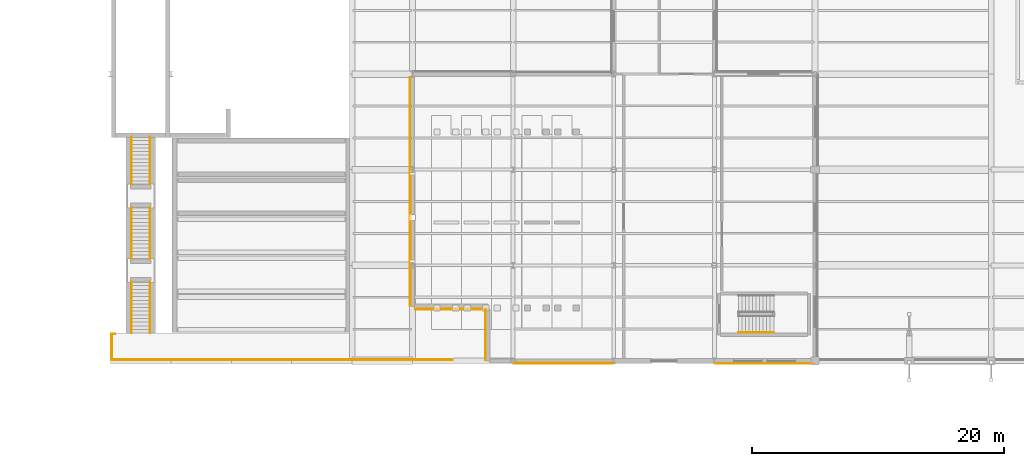
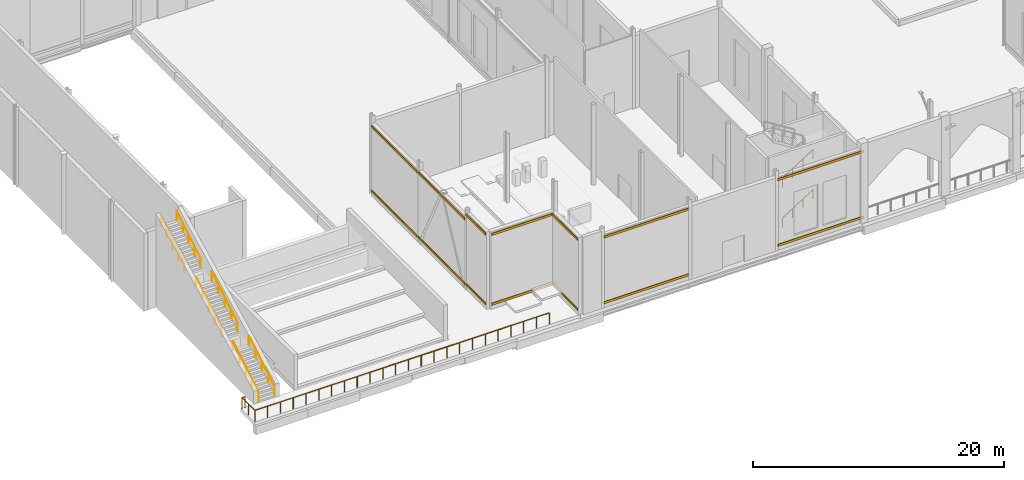
# One storey, part 153 of 176: 14 coverings, 10 railings.
"""IFC4 building model written with IfcOpenShell, lengths in metres."""

from ifc_helpers import new_model, si_unit, direction, frame, origin, origin_2d, place, context, subcontext, project, spatial, rectangle, circle, extrude, material, layer, layer_set, type_object, element, save


model = new_model("IFC4")

# Units and contexts
model_context = context("Model", 3, precision=1e-05, world=origin(), true_north=direction((0.0, 1.0)))
body_context = subcontext(model_context, "Body", "Model", "MODEL_VIEW")
ifc_project = project(units=[si_unit("LENGTHUNIT", "METRE"), si_unit("AREAUNIT", "SQUARE_METRE"), si_unit("VOLUMEUNIT", "CUBIC_METRE"), si_unit("PLANEANGLEUNIT", "RADIAN"), si_unit("MASSUNIT", "GRAM", prefix="KILO")], contexts=[model_context])

# Site, building, storey
site_placement = place(None, origin())
site = spatial("IfcSite", under=ifc_project, at=site_placement, CompositionType="ELEMENT")
building_placement = place(site_placement, origin())
building = spatial("IfcBuilding", under=site, at=building_placement, Name="Vekula Escarpment Museum", CompositionType="ELEMENT")
storey_placement = place(building_placement, origin())
storey = spatial("IfcBuildingStorey", under=building, at=storey_placement, Name="L01", CompositionType="ELEMENT", Elevation=0.0)

# Coverings
ifc_material_1 = material(Name="Polychrome limestone almasik string-course band", Category="masonry")
ifc_layer = layer(ifc_material_1, 0.06005859375)
ifc_layer_set = layer_set([ifc_layer], Name="Polychrome limestone almasik string-course band")
covering_type = type_object("IfcCoveringType", Name="COV-ALM-BAND", PredefinedType="CLADDING", material=ifc_layer_set)
for number, where, z_axis, x_axis, name in (
    (1, (23.799072265625, 18.903076171875, 0.41015625), (0.0, 0.0, 1.0), (0.0, 1.0, 0.0), "Almasik Stone String Course L01-0189"),
    (2, (23.799072265625, 18.903076171875, 6.69482421875), (0.0, 0.0, 1.0), (0.0, 1.0, 0.0), "Almasik Stone String Course L01-0190"),
):
    element("IfcCovering", number, at=place(storey_placement, frame(where, z_axis=z_axis, x_axis=x_axis)), inside=storey, type_object=covering_type, Name=name, PredefinedType="CLADDING", context=body_context, shape_type="SweptSolid", body=[
        extrude(rectangle(XDim=7.285888671875, YDim=0.06005859375, at=origin_2d()), origin(), (0.0, 0.0, 1.0), 0.219970703125),
    ])
for number, where, z_axis, x_axis, name in (
    (3, (23.81396484375, 11.39990234375, 0.41015625), (0.0, 0.0, 1.0), (0.0, 1.0, 0.0), "Almasik Stone String Course L01-0191"),
    (4, (23.81396484375, 11.39990234375, 6.69482421875), (0.0, 0.0, 1.0), (0.0, 1.0, 0.0), "Almasik Stone String Course L01-0192"),
):
    element("IfcCovering", number, at=place(storey_placement, frame(where, z_axis=z_axis, x_axis=x_axis)), inside=storey, type_object=covering_type, Name=name, PredefinedType="CLADDING", context=body_context, shape_type="SweptSolid", body=[
        extrude(rectangle(XDim=7.47998046875, YDim=0.06005859375, at=origin_2d()), origin(), (0.0, 0.0, 1.0), 0.219970703125),
    ])
for number, where, z_axis, x_axis, name in (
    (5, (23.823974609375, 5.966064453125, 0.41015625), (0.0, 0.0, 1.0), (0.0, 1.0, 0.0), "Almasik Stone String Course L01-0193"),
    (6, (23.823974609375, 5.966064453125, 7.2099609375), (0.0, 0.0, 1.0), (0.0, 1.0, 0.0), "Almasik Stone String Course L01-0194"),
):
    element("IfcCovering", number, at=place(storey_placement, frame(where, z_axis=z_axis, x_axis=x_axis)), inside=storey, type_object=covering_type, Name=name, PredefinedType="CLADDING", context=body_context, shape_type="SweptSolid", body=[
        extrude(rectangle(XDim=3.14794921875, YDim=0.06005859375, at=origin_2d()), origin(), (0.0, 0.0, 1.0), 0.219970703125),
    ])
for number, where, z_axis, x_axis, name in (
    (7, (27.076904296875, 4.115966796875, 0.41015625), (0.0, 0.0, 1.0), (1.0, 0.0, 0.0), "Almasik Stone String Course L01-0195"),
    (8, (27.076904296875, 4.115966796875, 7.2099609375), (0.0, 0.0, 1.0), (1.0, 0.0, 0.0), "Almasik Stone String Course L01-0196"),
):
    element("IfcCovering", number, at=place(storey_placement, frame(where, z_axis=z_axis, x_axis=x_axis)), inside=storey, type_object=covering_type, Name=name, PredefinedType="CLADDING", context=body_context, shape_type="SweptSolid", body=[
        extrude(rectangle(XDim=5.72607421875, YDim=0.06005859375, at=origin_2d()), origin(), (0.0, 0.0, 1.0), 0.219970703125),
    ])
for number, where, z_axis, x_axis, name in (
    (9, (29.799072265625, 2.069091796875, 0.41015625), (0.0, 0.0, 1.0), (0.0, 1.0, 0.0), "Almasik Stone String Course L01-0197"),
    (10, (29.799072265625, 2.069091796875, 7.2099609375), (0.0, 0.0, 1.0), (0.0, 1.0, 0.0), "Almasik Stone String Course L01-0198"),
):
    element("IfcCovering", number, at=place(storey_placement, frame(where, z_axis=z_axis, x_axis=x_axis)), inside=storey, type_object=covering_type, Name=name, PredefinedType="CLADDING", context=body_context, shape_type="SweptSolid", body=[
        extrude(rectangle(XDim=4.01806640625, YDim=0.06005859375, at=origin_2d()), origin(), (0.0, 0.0, 1.0), 0.219970703125),
    ])
for number, where, z_axis, x_axis, name in (
    (11, (36.0, -0.176025390625, 0.41015625), (0.0, 0.0, 1.0), (1.0, 0.0, 0.0), "Almasik Stone String Course L01-0199"),
    (12, (36.0, -0.176025390625, 6.80517578125), (0.0, 0.0, 1.0), (1.0, 0.0, 0.0), "Almasik Stone String Course L01-0200"),
    (13, (52.0, -0.200927734375, 0.41015625), (0.0, 0.0, 1.0), (1.0, 0.0, 0.0), "Almasik Stone String Course L01-0201"),
    (14, (52.0, -0.200927734375, 6.80517578125), (0.0, 0.0, 1.0), (1.0, 0.0, 0.0), "Almasik Stone String Course L01-0202"),
):
    element("IfcCovering", number, at=place(storey_placement, frame(where, z_axis=z_axis, x_axis=x_axis)), inside=storey, type_object=covering_type, Name=name, PredefinedType="CLADDING", context=body_context, shape_type="SweptSolid", body=[
        extrude(rectangle(XDim=7.8798828125, YDim=0.06005859375, at=origin_2d()), origin(), (0.0, 0.0, 1.0), 0.219970703125),
    ])

# Railings
ifc_material_2 = material(Name="Brushed stainless steel handrail", Category="steel")
railing_type_1 = type_object("IfcRailingType", Name="RL-STAIR-HAND", PredefinedType="HANDRAIL", material=ifc_material_2)
for number, where, name in (
    (15, (1.659912109375, 2.2099609375, 0.17724609375), "Escarpment Plinth Stair Handrail ST-AMP-S1-1L"),
    (16, (3.139892578125, 2.2099609375, 0.17724609375), "Escarpment Plinth Stair Handrail ST-AMP-S1-1R"),
):
    element("IfcRailing", number, at=place(storey_placement, frame(where)), inside=storey, type_object=railing_type_1, Name=name, PredefinedType="HANDRAIL", context=body_context, shape_type="SweptSolid", body=[
        extrude(circle(Radius=0.02392578125, at=origin_2d()), frame((0.0, 0.0, 0.8759765625), z_axis=(0.0, 0.853208268253, 0.521570370118), x_axis=(-1.0, 0.0, 0.0)), (0.0, 0.0, 1.0), 4.758544921875),
        extrude(circle(Radius=0.02099609375, at=origin_2d()), origin(), (0.0, 0.0, 1.0), 0.851806640625),
        extrude(circle(Radius=0.02099609375, at=origin_2d()), frame((0.0, 1.01513671875, 0.62060546875)), (0.0, 0.0, 1.0), 0.851806640625),
        extrude(circle(Radius=0.02099609375, at=origin_2d()), frame((0.0, 2.030029296875, 1.240966796875)), (0.0, 0.0, 1.0), 0.851806640625),
        extrude(circle(Radius=0.02099609375, at=origin_2d()), frame((0.0, 3.044921875, 1.861328125)), (0.0, 0.0, 1.0), 0.851806640625),
        extrude(circle(Radius=0.02099609375, at=origin_2d()), frame((0.0, 4.06005859375, 2.48193359375)), (0.0, 0.0, 1.0), 0.851806640625),
    ])
for number, where, name in (
    (17, (1.659912109375, 8.1201171875, 2.83642578125), "Escarpment Plinth Stair Handrail ST-AMP-S1-2L"),
    (18, (3.139892578125, 8.1201171875, 2.83642578125), "Escarpment Plinth Stair Handrail ST-AMP-S1-2R"),
):
    element("IfcRailing", number, at=place(storey_placement, frame(where)), inside=storey, type_object=railing_type_1, Name=name, PredefinedType="HANDRAIL", context=body_context, shape_type="SweptSolid", body=[
        extrude(circle(Radius=0.02392578125, at=origin_2d()), frame((0.0, 0.0, 0.8759765625), z_axis=(0.0, 0.853217143173, 0.521555851847), x_axis=(-1.0, 0.0, 0.0)), (0.0, 0.0, 1.0), 4.75830078125),
        extrude(circle(Radius=0.02099609375, at=origin_2d()), origin(), (0.0, 0.0, 1.0), 0.851806640625),
        extrude(circle(Radius=0.02099609375, at=origin_2d()), frame((0.0, 1.014892578125, 0.620361328125)), (0.0, 0.0, 1.0), 0.851806640625),
        extrude(circle(Radius=0.02099609375, at=origin_2d()), frame((0.0, 2.02978515625, 1.24072265625)), (0.0, 0.0, 1.0), 0.851806640625),
        extrude(circle(Radius=0.02099609375, at=origin_2d()), frame((0.0, 3.044921875, 1.861328125)), (0.0, 0.0, 1.0), 0.851806640625),
        extrude(circle(Radius=0.02099609375, at=origin_2d()), frame((0.0, 4.059814453125, 2.481689453125)), (0.0, 0.0, 1.0), 0.851806640625),
    ])
for number, where, name in (
    (19, (1.659912109375, 14.030029296875, 5.49560546875), "Escarpment Plinth Stair Handrail ST-AMP-S1-3L"),
    (20, (3.139892578125, 14.030029296875, 5.49560546875), "Escarpment Plinth Stair Handrail ST-AMP-S1-3R"),
):
    element("IfcRailing", number, at=place(storey_placement, frame(where)), inside=storey, type_object=railing_type_1, Name=name, PredefinedType="HANDRAIL", context=body_context, shape_type="SweptSolid", body=[
        extrude(circle(Radius=0.02392578125, at=origin_2d()), frame((0.0, 0.0, 0.8759765625), z_axis=(0.0, 0.853227196125, 0.521539405791), x_axis=(-1.0, 0.0, 0.0)), (0.0, 0.0, 1.0), 4.41845703125),
        extrude(circle(Radius=0.02099609375, at=origin_2d()), origin(), (0.0, 0.0, 1.0), 0.851806640625),
        extrude(circle(Radius=0.02099609375, at=origin_2d()), frame((0.0, 0.9423828125, 0.576171875)), (0.0, 0.0, 1.0), 0.851806640625),
        extrude(circle(Radius=0.02099609375, at=origin_2d()), frame((0.0, 1.885009765625, 1.15234375)), (0.0, 0.0, 1.0), 0.851806640625),
        extrude(circle(Radius=0.02099609375, at=origin_2d()), frame((0.0, 2.82763671875, 1.728271484375)), (0.0, 0.0, 1.0), 0.851806640625),
        extrude(circle(Radius=0.02099609375, at=origin_2d()), frame((0.0, 3.77001953125, 2.304443359375)), (0.0, 0.0, 1.0), 0.851806640625),
    ])
for number, where, name in (
    (21, (49.919921875, 2.25, 0.17724609375), "L01 ST-07 stair handrail 1"),
    (22, (49.919921875, 2.25, 4.077392578125), "L01 ST-07 stair handrail 3"),
):
    element("IfcRailing", number, at=place(storey_placement, frame(where)), inside=storey, type_object=railing_type_1, Name=name, PredefinedType="HANDRAIL", context=body_context, shape_type="SweptSolid", body=[
        extrude(circle(Radius=0.02392578125, at=origin_2d()), frame((0.0, 0.0, 0.8759765625), z_axis=(0.844908973607, 0.0, 0.534910110503), x_axis=(0.0, 1.0, 0.0)), (0.0, 0.0, 1.0), 3.31396484375),
        extrude(circle(Radius=0.02099609375, at=origin_2d()), origin(), (0.0, 0.0, 1.0), 0.851806640625),
        extrude(circle(Radius=0.02099609375, at=origin_2d()), frame((0.933349609375, 0.0, 0.5908203125)), (0.0, 0.0, 1.0), 0.851806640625),
        extrude(circle(Radius=0.02099609375, at=origin_2d()), frame((1.86669921875, 0.0, 1.181884765625)), (0.0, 0.0, 1.0), 0.851806640625),
        extrude(circle(Radius=0.02099609375, at=origin_2d()), frame((2.800048828125, 0.0, 1.772705078125)), (0.0, 0.0, 1.0), 0.851806640625),
    ])
ifc_material_3 = material(Name="Bronze-coated Steel S355 balustrade", Category="steel")
railing_type_2 = type_object("IfcRailingType", Name="RL-TER-GUARD", PredefinedType="GUARDRAIL", material=ifc_material_3)
railing_1_placement = place(storey_placement, frame((0.090087890625, 0.090087890625, 0.0)))
element("IfcRailing", 23, at=railing_1_placement, inside=storey, type_object=railing_type_2, Name="Terrace Balustrade L01-005", PredefinedType="GUARDRAIL", context=body_context, shape_type="SweptSolid", body=[
    extrude(circle(Radius=0.02392578125, at=origin_2d()), frame((0.0, 0.0, 1.076171875), z_axis=(0.0, 1.0, 0.0), x_axis=(-1.0, 0.0, 0.0)), (0.0, 0.0, 1.0), 2.054931640625),
    extrude(circle(Radius=0.02392578125, at=origin_2d()), frame((0.0, 2.054931640625, 1.076171875), z_axis=(1.0, 0.0, 0.0), x_axis=(0.0, 1.0, 0.0)), (0.0, 0.0, 1.0), 0.260009765625),
    extrude(circle(Radius=0.02099609375, at=origin_2d()), origin(), (0.0, 0.0, 1.0), 1.052001953125),
    extrude(circle(Radius=0.02099609375, at=origin_2d()), frame((0.0, 1.02734375, 0.0)), (0.0, 0.0, 1.0), 1.052001953125),
    extrude(circle(Radius=0.02099609375, at=origin_2d()), frame((0.0, 2.054931640625, 0.0)), (0.0, 0.0, 1.0), 1.052001953125),
    extrude(circle(Radius=0.02099609375, at=origin_2d()), frame((0.260009765625, 2.054931640625, 0.0)), (0.0, 0.0, 1.0), 1.052001953125),
])
railing_2_placement = place(storey_placement, frame((27.199951171875, 0.090087890625, 0.0)))
element("IfcRailing", 24, at=railing_2_placement, inside=storey, type_object=railing_type_2, Name="Terrace Balustrade L01-006", PredefinedType="GUARDRAIL", context=body_context, shape_type="SweptSolid", body=[
    extrude(circle(Radius=0.02392578125, at=origin_2d()), frame((0.0, 0.0, 1.076171875), z_axis=(-1.0, 0.0, 0.0), x_axis=(0.0, -1.0, 0.0)), (0.0, 0.0, 1.0), 27.10986328125),
    extrude(circle(Radius=0.02099609375, at=origin_2d()), origin(), (0.0, 0.0, 1.0), 1.052001953125),
    extrude(circle(Radius=0.02099609375, at=origin_2d()), frame((-1.1787109375, 0.0, 0.0)), (0.0, 0.0, 1.0), 1.052001953125),
    extrude(circle(Radius=0.02099609375, at=origin_2d()), frame((-2.357421875, 0.0, 0.0)), (0.0, 0.0, 1.0), 1.052001953125),
    extrude(circle(Radius=0.02099609375, at=origin_2d()), frame((-3.5361328125, 0.0, 0.0)), (0.0, 0.0, 1.0), 1.052001953125),
    extrude(circle(Radius=0.02099609375, at=origin_2d()), frame((-4.71484375, 0.0, 0.0)), (0.0, 0.0, 1.0), 1.052001953125),
    extrude(circle(Radius=0.02099609375, at=origin_2d()), frame((-5.8935546875, 0.0, 0.0)), (0.0, 0.0, 1.0), 1.052001953125),
    extrude(circle(Radius=0.02099609375, at=origin_2d()), frame((-7.072021484375, 0.0, 0.0)), (0.0, 0.0, 1.0), 1.052001953125),
    extrude(circle(Radius=0.02099609375, at=origin_2d()), frame((-8.250732421875, 0.0, 0.0)), (0.0, 0.0, 1.0), 1.052001953125),
    extrude(circle(Radius=0.02099609375, at=origin_2d()), frame((-9.429443359375, 0.0, 0.0)), (0.0, 0.0, 1.0), 1.052001953125),
    extrude(circle(Radius=0.02099609375, at=origin_2d()), frame((-10.608154296875, 0.0, 0.0)), (0.0, 0.0, 1.0), 1.052001953125),
    extrude(circle(Radius=0.02099609375, at=origin_2d()), frame((-11.786865234375, 0.0, 0.0)), (0.0, 0.0, 1.0), 1.052001953125),
    extrude(circle(Radius=0.02099609375, at=origin_2d()), frame((-12.965576171875, 0.0, 0.0)), (0.0, 0.0, 1.0), 1.052001953125),
    extrude(circle(Radius=0.02099609375, at=origin_2d()), frame((-14.144287109375, 0.0, 0.0)), (0.0, 0.0, 1.0), 1.052001953125),
    extrude(circle(Radius=0.02099609375, at=origin_2d()), frame((-15.322998046875, 0.0, 0.0)), (0.0, 0.0, 1.0), 1.052001953125),
    extrude(circle(Radius=0.02099609375, at=origin_2d()), frame((-16.501708984375, 0.0, 0.0)), (0.0, 0.0, 1.0), 1.052001953125),
    extrude(circle(Radius=0.02099609375, at=origin_2d()), frame((-17.680419921875, 0.0, 0.0)), (0.0, 0.0, 1.0), 1.052001953125),
    extrude(circle(Radius=0.02099609375, at=origin_2d()), frame((-18.859130859375, 0.0, 0.0)), (0.0, 0.0, 1.0), 1.052001953125),
    extrude(circle(Radius=0.02099609375, at=origin_2d()), frame((-20.037841796875, 0.0, 0.0)), (0.0, 0.0, 1.0), 1.052001953125),
    extrude(circle(Radius=0.02099609375, at=origin_2d()), frame((-21.21630859375, 0.0, 0.0)), (0.0, 0.0, 1.0), 1.052001953125),
    extrude(circle(Radius=0.02099609375, at=origin_2d()), frame((-22.39501953125, 0.0, 0.0)), (0.0, 0.0, 1.0), 1.052001953125),
    extrude(circle(Radius=0.02099609375, at=origin_2d()), frame((-23.57373046875, 0.0, 0.0)), (0.0, 0.0, 1.0), 1.052001953125),
    extrude(circle(Radius=0.02099609375, at=origin_2d()), frame((-24.75244140625, 0.0, 0.0)), (0.0, 0.0, 1.0), 1.052001953125),
    extrude(circle(Radius=0.02099609375, at=origin_2d()), frame((-25.93115234375, 0.0, 0.0)), (0.0, 0.0, 1.0), 1.052001953125),
    extrude(circle(Radius=0.02099609375, at=origin_2d()), frame((-27.10986328125, 0.0, 0.0)), (0.0, 0.0, 1.0), 1.052001953125),
])

save(model, "model.ifc")
